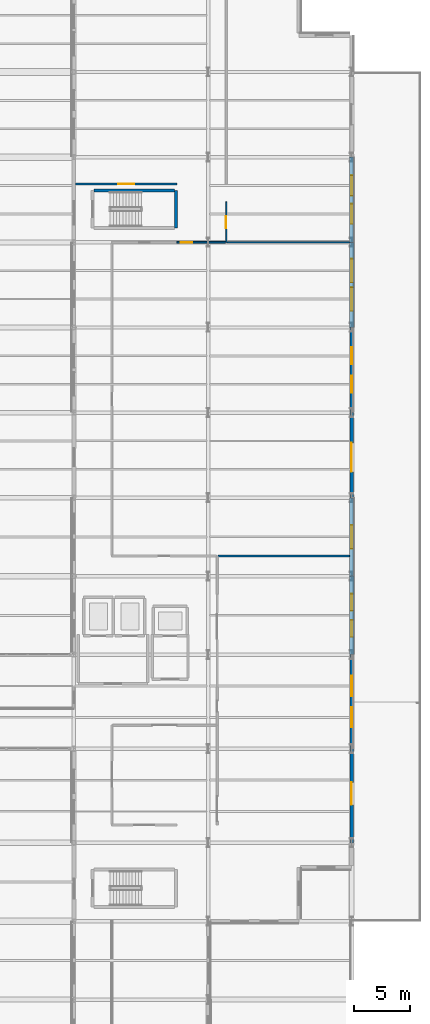
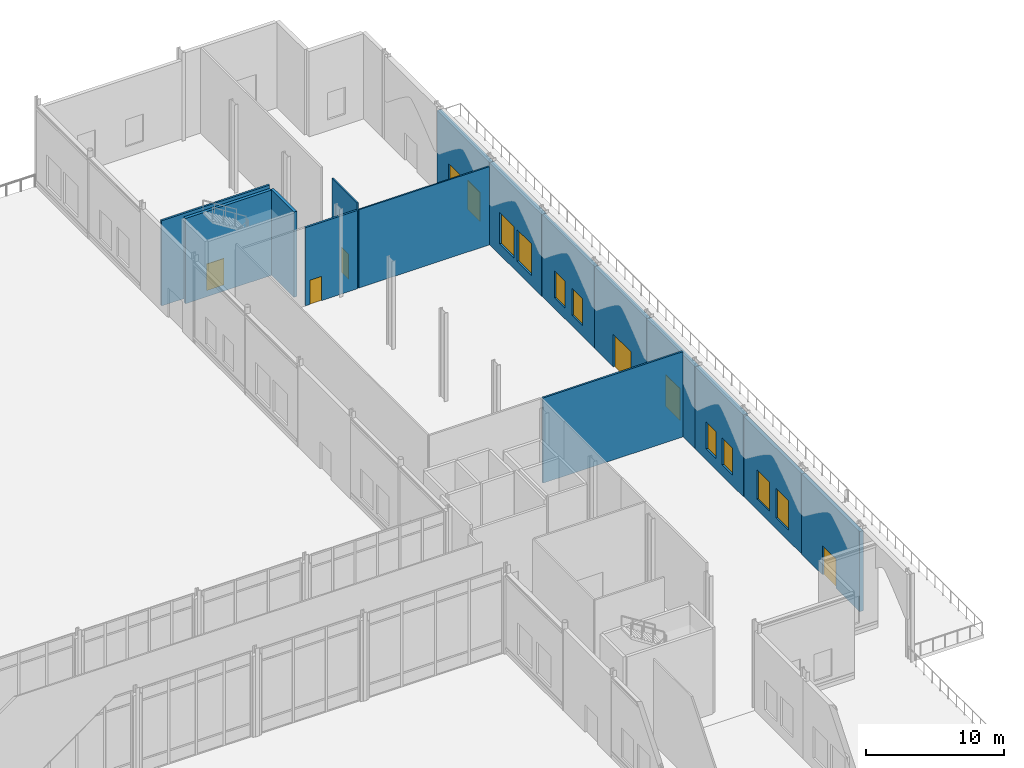
# One storey, part 147 of 176: 15 walls, 11 windows, 5 doors, 16 openings.
"""IFC4 building model written with IfcOpenShell, lengths in metres."""

from ifc_helpers import new_model, si_unit, direction, frame, frame_2d, origin, place, context, subcontext, project, spatial, rectangle, extrude, material, layer, layer_set, type_object, element, fill, save


model = new_model("IFC4")

# Units and contexts
model_context = context("Model", 3, precision=1e-05, world=origin(), true_north=direction((0.0, 1.0)))
body_context = subcontext(model_context, "Body", "Model", "MODEL_VIEW")
ifc_project = project(units=[si_unit("LENGTHUNIT", "METRE"), si_unit("AREAUNIT", "SQUARE_METRE"), si_unit("VOLUMEUNIT", "CUBIC_METRE"), si_unit("PLANEANGLEUNIT", "RADIAN"), si_unit("MASSUNIT", "GRAM", prefix="KILO")], contexts=[model_context])

# Site, building, storey
site_placement = place(None, origin())
site = spatial("IfcSite", under=ifc_project, at=site_placement, CompositionType="ELEMENT")
building_placement = place(site_placement, origin())
building = spatial("IfcBuilding", under=site, at=building_placement, Name="Vekula Escarpment Museum", CompositionType="ELEMENT")
storey_placement = place(building_placement, origin())
storey = spatial("IfcBuildingStorey", under=building, at=storey_placement, Name="L01", CompositionType="ELEMENT", Elevation=0.0)

# Wall, openings, windows
ifc_material_1 = material(Name="Inkisi arkosic sandstone masonry", Category="masonry")
ifc_layer_1 = layer(ifc_material_1, 0.300048828125)
ifc_layer_set_1 = layer_set([ifc_layer_1], Name="Inkisi arkosic sandstone masonry")
wall_type_1 = type_object("IfcWallType", Name="WL-ALM-300", PredefinedType="SOLIDWALL", material=ifc_layer_set_1)
wall_1_placement = place(storey_placement, frame((191.800048828125, 76.39990234375, 0.0), z_axis=(0.0, 0.0, 1.0), x_axis=(0.0, -1.0, 0.0)))
wall_1 = element("IfcWall", 1, at=wall_1_placement, inside=storey, type_object=wall_type_1, Name="Exterior Wall WL-EXT-L01-0127", PredefinedType="SOLIDWALL", context=body_context, shape_type="SweptSolid", body=[
    extrude(rectangle(XDim=8.39990234375, YDim=0.300048828125, at=frame_2d((4.199951171875, 0.0))), origin(), (0.0, 0.0, 1.0), 7.0849609375),
])
opening_1_placement = place(wall_1_placement, frame((1.89990234375, 0.0, 0.949951171875)))
opening_1 = element("IfcOpeningElement", 2, at=opening_1_placement, cuts=wall_1, Name="Opening WN-07", PredefinedType="OPENING", context=body_context, shape_type="SweptSolid", body=[
    extrude(rectangle(XDim=1.800048828125, YDim=2.60009765625, at=frame_2d((0.89990234375, 1.300048828125))), frame((0.0, 0.159912109375, 0.0), z_axis=(0.0, -1.0, 0.0), x_axis=(1.0, 0.0, 0.0)), (0.0, 0.0, 1.0), 0.320068359375),
])
opening_2_placement = place(wall_1_placement, frame((4.699951171875, 0.0, 0.949951171875)))
opening_2 = element("IfcOpeningElement", 3, at=opening_2_placement, cuts=wall_1, Name="Opening WN-07", PredefinedType="OPENING", context=body_context, shape_type="SweptSolid", body=[
    extrude(rectangle(XDim=1.800048828125, YDim=2.60009765625, at=frame_2d((0.89990234375, 1.300048828125))), frame((0.0, 0.159912109375, 0.0), z_axis=(0.0, -1.0, 0.0), x_axis=(1.0, 0.0, 0.0)), (0.0, 0.0, 1.0), 0.320068359375),
])
ifc_material_2 = material(Name="Double solar-control low-E glass", Category="glass")
window_type_1 = type_object("IfcWindowType", Name="WN-CUMBA-18x26", PartitioningType="DOUBLE_PANEL_VERTICAL", PredefinedType="WINDOW", material=ifc_material_2)
window_1_placement = place(opening_1_placement, origin())
window_1 = element("IfcWindow", 4, at=window_1_placement, inside=storey, type_object=window_type_1, Name="Window L01-0035", OverallHeight=2.60009765625, OverallWidth=1.800048828125, PartitioningType="SINGLE_PANEL", PredefinedType="WINDOW", context=body_context, shape_type="SweptSolid", body=[
    extrude(rectangle(XDim=1.800048828125, YDim=2.60009765625, at=frame_2d((0.89990234375, 1.300048828125))), frame((0.0, 0.030029296875, 0.0), z_axis=(0.0, -1.0, 0.0), x_axis=(1.0, 0.0, 0.0)), (0.0, 0.0, 1.0), 0.06005859375),
])
fill(opening_1, window_1)
window_2_placement = place(opening_2_placement, origin())
window_2 = element("IfcWindow", 5, at=window_2_placement, inside=storey, type_object=window_type_1, Name="Window L01-0036", OverallHeight=2.60009765625, OverallWidth=1.800048828125, PartitioningType="SINGLE_PANEL", PredefinedType="WINDOW", context=body_context, shape_type="SweptSolid", body=[
    extrude(rectangle(XDim=1.800048828125, YDim=2.60009765625, at=frame_2d((0.89990234375, 1.300048828125))), frame((0.0, 0.030029296875, 0.0), z_axis=(0.0, -1.0, 0.0), x_axis=(1.0, 0.0, 0.0)), (0.0, 0.0, 1.0), 0.06005859375),
])
fill(opening_2, window_2)

wall_2_placement = place(storey_placement, frame((191.800048828125, 105.60009765625, 0.0), z_axis=(0.0, 0.0, 1.0), x_axis=(0.0, -1.0, 0.0)))
wall_2 = element("IfcWall", 6, at=wall_2_placement, inside=storey, type_object=wall_type_1, Name="Exterior Wall WL-EXT-L01-0131", PredefinedType="SOLIDWALL", context=body_context, shape_type="SweptSolid", body=[
    extrude(rectangle(XDim=7.60009765625, YDim=0.300048828125, at=frame_2d((3.800048828125, 0.0))), origin(), (0.0, 0.0, 1.0), 7.235107421875),
])
opening_3_placement = place(wall_2_placement, frame((1.783203125, 0.0, 0.949951171875)))
opening_3 = element("IfcOpeningElement", 7, at=opening_3_placement, cuts=wall_2, Name="Opening WN-06", PredefinedType="OPENING", context=body_context, shape_type="SweptSolid", body=[
    extrude(rectangle(XDim=1.5, YDim=2.39990234375, at=frame_2d((0.75, 1.199951171875))), frame((0.0, 0.159912109375, 0.0), z_axis=(0.0, -1.0, 0.0), x_axis=(1.0, 0.0, 0.0)), (0.0, 0.0, 1.0), 0.320068359375),
])
opening_4_placement = place(wall_2_placement, frame((4.316650390625, 0.0, 0.949951171875)))
opening_4 = element("IfcOpeningElement", 8, at=opening_4_placement, cuts=wall_2, Name="Opening WN-06", PredefinedType="OPENING", context=body_context, shape_type="SweptSolid", body=[
    extrude(rectangle(XDim=1.5, YDim=2.39990234375, at=frame_2d((0.75, 1.199951171875))), frame((0.0, 0.159912109375, 0.0), z_axis=(0.0, -1.0, 0.0), x_axis=(1.0, 0.0, 0.0)), (0.0, 0.0, 1.0), 0.320068359375),
])
ifc_material_3 = material(Name="Double solar-control low-E glass", Category="glass")
window_type_2 = type_object("IfcWindowType", Name="WN-CUMBA-15x24", PartitioningType="SINGLE_PANEL", PredefinedType="WINDOW", material=ifc_material_3)
window_3_placement = place(opening_3_placement, origin())
window_3 = element("IfcWindow", 9, at=window_3_placement, inside=storey, type_object=window_type_2, Name="Window L01-0040", OverallHeight=2.39990234375, OverallWidth=1.5, PartitioningType="SINGLE_PANEL", PredefinedType="WINDOW", context=body_context, shape_type="SweptSolid", body=[
    extrude(rectangle(XDim=1.5, YDim=2.39990234375, at=frame_2d((0.75, 1.199951171875))), frame((0.0, 0.030029296875, 0.0), z_axis=(0.0, -1.0, 0.0), x_axis=(1.0, 0.0, 0.0)), (0.0, 0.0, 1.0), 0.06005859375),
])
fill(opening_3, window_3)
window_4_placement = place(opening_4_placement, origin())
window_4 = element("IfcWindow", 10, at=window_4_placement, inside=storey, type_object=window_type_2, Name="Window L01-0041", OverallHeight=2.39990234375, OverallWidth=1.5, PartitioningType="SINGLE_PANEL", PredefinedType="WINDOW", context=body_context, shape_type="SweptSolid", body=[
    extrude(rectangle(XDim=1.5, YDim=2.39990234375, at=frame_2d((0.75, 1.199951171875))), frame((0.0, 0.030029296875, 0.0), z_axis=(0.0, -1.0, 0.0), x_axis=(1.0, 0.0, 0.0)), (0.0, 0.0, 1.0), 0.06005859375),
])
fill(opening_4, window_4)

# Wall, opening, door
ifc_material_4 = material(Name="Inkisi arkosic sandstone masonry", Category="masonry")
ifc_layer_2 = layer(ifc_material_4, 0.320068359375)
ifc_layer_set_2 = layer_set([ifc_layer_2], Name="Inkisi arkosic sandstone masonry")
wall_type_2 = type_object("IfcWallType", Name="WL-ALM-320", PredefinedType="SOLIDWALL", material=ifc_layer_set_2)
wall_3_placement = place(storey_placement, frame((191.800048828125, 68.0, 0.0), z_axis=(0.0, 0.0, 1.0), x_axis=(0.0, -1.0, 0.0)))
wall_3 = element("IfcWall", 11, at=wall_3_placement, inside=storey, type_object=wall_type_2, Name="Exterior Wall WL-EXT-L01-0126", PredefinedType="SOLIDWALL", context=body_context, shape_type="SweptSolid", body=[
    extrude(rectangle(XDim=8.39990234375, YDim=0.320068359375, at=frame_2d((4.199951171875, 0.0))), origin(), (0.0, 0.0, 1.0), 7.0849609375),
])
opening_5_placement = place(wall_3_placement, frame((3.0, 0.0, 0.0)))
opening_5 = element("IfcOpeningElement", 12, at=opening_5_placement, cuts=wall_3, Name="Opening D-EX08", PredefinedType="OPENING", context=body_context, shape_type="SweptSolid", body=[
    extrude(rectangle(XDim=2.0, YDim=2.60009765625, at=frame_2d((1.0, 1.300048828125))), frame((0.0, 0.169921875, 0.0), z_axis=(0.0, -1.0, 0.0), x_axis=(1.0, 0.0, 0.0)), (0.0, 0.0, 1.0), 0.340087890625),
])
ifc_material_5 = material(Name="Bronze-anodized glazed exit door", Category="aluminium")
door_type_1 = type_object("IfcDoorType", Name="DR-EX-2000x2600", OperationType="NOTDEFINED", PredefinedType="DOOR", material=ifc_material_5)
door_1_placement = place(opening_5_placement, origin())
door_1 = element("IfcDoor", 13, at=door_1_placement, inside=storey, type_object=door_type_1, Name="East Cloister Exit Door D-EX08", OperationType="SINGLE_SWING_RIGHT", OverallHeight=2.60009765625, OverallWidth=2.0, PredefinedType="DOOR", context=body_context, shape_type="SweptSolid", body=[
    extrude(rectangle(XDim=2.0, YDim=2.60009765625, at=frame_2d((1.0, 1.300048828125))), frame((0.0, 0.02490234375, 0.0), z_axis=(0.0, -1.0, 0.0), x_axis=(1.0, 0.0, 0.0)), (0.0, 0.0, 1.0), 0.050048828125),
])
fill(opening_5, door_1)

wall_4_placement = place(storey_placement, frame((191.800048828125, 98.0, 0.0), z_axis=(0.0, 0.0, 1.0), x_axis=(0.0, -1.0, 0.0)))
wall_4 = element("IfcWall", 14, at=wall_4_placement, inside=storey, type_object=wall_type_2, Name="Exterior Wall WL-EXT-L01-0130", PredefinedType="SOLIDWALL", context=body_context, shape_type="SweptSolid", body=[
    extrude(rectangle(XDim=7.60009765625, YDim=0.320068359375, at=frame_2d((3.800048828125, 0.0))), origin(), (0.0, 0.0, 1.0), 7.235107421875),
])
opening_6_placement = place(wall_4_placement, frame((2.699951171875, 0.0, 0.0)))
opening_6 = element("IfcOpeningElement", 15, at=opening_6_placement, cuts=wall_4, Name="Opening D-EX16", PredefinedType="OPENING", context=body_context, shape_type="SweptSolid", body=[
    extrude(rectangle(XDim=2.60009765625, YDim=2.89990234375, at=frame_2d((1.300048828125, 1.449951171875))), frame((0.0, 0.169921875, 0.0), z_axis=(0.0, -1.0, 0.0), x_axis=(1.0, 0.0, 0.0)), (0.0, 0.0, 1.0), 0.340087890625),
])
ifc_material_6 = material(Name="Bronze-anodized glazed exit door", Category="aluminium")
door_type_2 = type_object("IfcDoorType", Name="DR-EX-2600x2900", OperationType="NOTDEFINED", PredefinedType="DOOR", material=ifc_material_6)
door_2_placement = place(opening_6_placement, origin())
door_2 = element("IfcDoor", 16, at=door_2_placement, inside=storey, type_object=door_type_2, Name="East Gallery North Exit D-EX16", OperationType="SINGLE_SWING_RIGHT", OverallHeight=2.89990234375, OverallWidth=2.60009765625, PredefinedType="DOOR", context=body_context, shape_type="SweptSolid", body=[
    extrude(rectangle(XDim=2.60009765625, YDim=2.89990234375, at=frame_2d((1.300048828125, 1.449951171875))), frame((0.0, 0.02490234375, 0.0), z_axis=(0.0, -1.0, 0.0), x_axis=(1.0, 0.0, 0.0)), (0.0, 0.0, 1.0), 0.050048828125),
])
fill(opening_6, door_2)

# Wall, opening, window
ifc_material_7 = material(Name="Inkisi arkosic sandstone masonry", Category="masonry")
ifc_layer_3 = layer(ifc_material_7, 0.35009765625)
ifc_layer_set_3 = layer_set([ifc_layer_3], Name="Inkisi arkosic sandstone masonry")
wall_type_3 = type_object("IfcWallType", Name="WL-ALM-350", PredefinedType="SOLIDWALL", material=ifc_layer_set_3)
wall_5_placement = place(storey_placement, frame((191.800048828125, 90.39990234375, 0.0), z_axis=(0.0, 0.0, 1.0), x_axis=(0.0, -1.0, 0.0)))
wall_5 = element("IfcWall", 17, at=wall_5_placement, inside=storey, type_object=wall_type_3, Name="Exterior Wall WL-EXT-L01-0129", PredefinedType="SOLIDWALL", context=body_context, shape_type="SweptSolid", body=[
    extrude(rectangle(XDim=7.0, YDim=0.35009765625, at=frame_2d((3.5, 0.0))), origin(), (0.0, 0.0, 1.0), 7.235107421875),
])
opening_7_placement = place(wall_5_placement, frame((2.449951171875, 0.0, 0.949951171875)))
opening_7 = element("IfcOpeningElement", 18, at=opening_7_placement, cuts=wall_5, Name="Opening WN-08", PredefinedType="OPENING", context=body_context, shape_type="SweptSolid", body=[
    extrude(rectangle(XDim=2.10009765625, YDim=2.800048828125, at=frame_2d((1.050048828125, 1.39990234375))), frame((0.0, 0.18505859375, 0.0), z_axis=(0.0, -1.0, 0.0), x_axis=(1.0, 0.0, 0.0)), (0.0, 0.0, 1.0), 0.3701171875),
])
ifc_material_8 = material(Name="Double solar-control low-E glass", Category="glass")
window_type_3 = type_object("IfcWindowType", Name="WN-CUMBA-21x28", PartitioningType="DOUBLE_PANEL_VERTICAL", PredefinedType="WINDOW", material=ifc_material_8)
window_5_placement = place(opening_7_placement, origin())
window_5 = element("IfcWindow", 19, at=window_5_placement, inside=storey, type_object=window_type_3, Name="Window L01-0039", OverallHeight=2.800048828125, OverallWidth=2.10009765625, PartitioningType="SINGLE_PANEL", PredefinedType="WINDOW", context=body_context, shape_type="SweptSolid", body=[
    extrude(rectangle(XDim=2.10009765625, YDim=2.800048828125, at=frame_2d((1.050048828125, 1.39990234375))), frame((0.0, 0.030029296875, 0.0), z_axis=(0.0, -1.0, 0.0), x_axis=(1.0, 0.0, 0.0)), (0.0, 0.0, 1.0), 0.06005859375),
])
fill(opening_7, window_5)

# Wall, openings, windows
wall_6_placement = place(storey_placement, frame((191.800048828125, 120.800048828125, 0.0), z_axis=(0.0, 0.0, 1.0), x_axis=(0.0, -1.0, 0.0)))
wall_6 = element("IfcWall", 20, at=wall_6_placement, inside=storey, type_object=wall_type_3, Name="Exterior Wall WL-EXT-L01-0133", PredefinedType="SOLIDWALL", context=body_context, shape_type="SweptSolid", body=[
    extrude(rectangle(XDim=7.60009765625, YDim=0.35009765625, at=frame_2d((3.800048828125, 0.0))), origin(), (0.0, 0.0, 1.0), 7.235107421875),
])
opening_8_placement = place(wall_6_placement, frame((1.63330078125, 0.0, 0.949951171875)))
opening_8 = element("IfcOpeningElement", 21, at=opening_8_placement, cuts=wall_6, Name="Opening WN-07", PredefinedType="OPENING", context=body_context, shape_type="SweptSolid", body=[
    extrude(rectangle(XDim=1.800048828125, YDim=2.60009765625, at=frame_2d((0.89990234375, 1.300048828125))), frame((0.0, 0.18505859375, 0.0), z_axis=(0.0, -1.0, 0.0), x_axis=(1.0, 0.0, 0.0)), (0.0, 0.0, 1.0), 0.3701171875),
])
opening_9_placement = place(wall_6_placement, frame((4.166748046875, 0.0, 0.949951171875)))
opening_9 = element("IfcOpeningElement", 22, at=opening_9_placement, cuts=wall_6, Name="Opening WN-07", PredefinedType="OPENING", context=body_context, shape_type="SweptSolid", body=[
    extrude(rectangle(XDim=1.800048828125, YDim=2.60009765625, at=frame_2d((0.89990234375, 1.300048828125))), frame((0.0, 0.18505859375, 0.0), z_axis=(0.0, -1.0, 0.0), x_axis=(1.0, 0.0, 0.0)), (0.0, 0.0, 1.0), 0.3701171875),
])
window_6_placement = place(opening_8_placement, origin())
window_6 = element("IfcWindow", 23, at=window_6_placement, inside=storey, type_object=window_type_1, Name="Window L01-0044", OverallHeight=2.60009765625, OverallWidth=1.800048828125, PartitioningType="SINGLE_PANEL", PredefinedType="WINDOW", context=body_context, shape_type="SweptSolid", body=[
    extrude(rectangle(XDim=1.800048828125, YDim=2.60009765625, at=frame_2d((0.89990234375, 1.300048828125))), frame((0.0, 0.030029296875, 0.0), z_axis=(0.0, -1.0, 0.0), x_axis=(1.0, 0.0, 0.0)), (0.0, 0.0, 1.0), 0.06005859375),
])
fill(opening_8, window_6)
window_7_placement = place(opening_9_placement, origin())
window_7 = element("IfcWindow", 24, at=window_7_placement, inside=storey, type_object=window_type_1, Name="Window L01-0045", OverallHeight=2.60009765625, OverallWidth=1.800048828125, PartitioningType="SINGLE_PANEL", PredefinedType="WINDOW", context=body_context, shape_type="SweptSolid", body=[
    extrude(rectangle(XDim=1.800048828125, YDim=2.60009765625, at=frame_2d((0.89990234375, 1.300048828125))), frame((0.0, 0.030029296875, 0.0), z_axis=(0.0, -1.0, 0.0), x_axis=(1.0, 0.0, 0.0)), (0.0, 0.0, 1.0), 0.06005859375),
])
fill(opening_9, window_7)

ifc_material_9 = material(Name="Inkisi arkosic sandstone masonry", Category="masonry")
ifc_layer_4 = layer(ifc_material_9, 0.3798828125)
ifc_layer_set_4 = layer_set([ifc_layer_4], Name="Inkisi arkosic sandstone masonry")
wall_type_4 = type_object("IfcWallType", Name="WL-ALM-380", PredefinedType="SOLIDWALL", material=ifc_layer_set_4)
wall_7_placement = place(storey_placement, frame((191.800048828125, 83.39990234375, 0.0), z_axis=(0.0, 0.0, 1.0), x_axis=(0.0, -1.0, 0.0)))
wall_7 = element("IfcWall", 25, at=wall_7_placement, inside=storey, type_object=wall_type_4, Name="Exterior Wall WL-EXT-L01-0128", PredefinedType="SOLIDWALL", context=body_context, shape_type="SweptSolid", body=[
    extrude(rectangle(XDim=7.0, YDim=0.3798828125, at=frame_2d((3.5, 0.0))), origin(), (0.0, 0.0, 1.0), 7.235107421875),
])
opening_10_placement = place(wall_7_placement, frame((1.583251953125, 0.0, 0.949951171875)))
opening_10 = element("IfcOpeningElement", 26, at=opening_10_placement, cuts=wall_7, Name="Opening WN-06", PredefinedType="OPENING", context=body_context, shape_type="SweptSolid", body=[
    extrude(rectangle(XDim=1.5, YDim=2.39990234375, at=frame_2d((0.75, 1.199951171875))), frame((0.0, 0.199951171875, 0.0), z_axis=(0.0, -1.0, 0.0), x_axis=(1.0, 0.0, 0.0)), (0.0, 0.0, 1.0), 0.39990234375),
])
opening_11_placement = place(wall_7_placement, frame((3.916748046875, 0.0, 0.949951171875)))
opening_11 = element("IfcOpeningElement", 27, at=opening_11_placement, cuts=wall_7, Name="Opening WN-06", PredefinedType="OPENING", context=body_context, shape_type="SweptSolid", body=[
    extrude(rectangle(XDim=1.5, YDim=2.39990234375, at=frame_2d((0.75, 1.199951171875))), frame((0.0, 0.199951171875, 0.0), z_axis=(0.0, -1.0, 0.0), x_axis=(1.0, 0.0, 0.0)), (0.0, 0.0, 1.0), 0.39990234375),
])
window_8_placement = place(opening_10_placement, origin())
window_8 = element("IfcWindow", 28, at=window_8_placement, inside=storey, type_object=window_type_2, Name="Window L01-0037", OverallHeight=2.39990234375, OverallWidth=1.5, PartitioningType="SINGLE_PANEL", PredefinedType="WINDOW", context=body_context, shape_type="SweptSolid", body=[
    extrude(rectangle(XDim=1.5, YDim=2.39990234375, at=frame_2d((0.75, 1.199951171875))), frame((0.0, 0.030029296875, 0.0), z_axis=(0.0, -1.0, 0.0), x_axis=(1.0, 0.0, 0.0)), (0.0, 0.0, 1.0), 0.06005859375),
])
fill(opening_10, window_8)
window_9_placement = place(opening_11_placement, origin())
window_9 = element("IfcWindow", 29, at=window_9_placement, inside=storey, type_object=window_type_2, Name="Window L01-0038", OverallHeight=2.39990234375, OverallWidth=1.5, PartitioningType="SINGLE_PANEL", PredefinedType="WINDOW", context=body_context, shape_type="SweptSolid", body=[
    extrude(rectangle(XDim=1.5, YDim=2.39990234375, at=frame_2d((0.75, 1.199951171875))), frame((0.0, 0.030029296875, 0.0), z_axis=(0.0, -1.0, 0.0), x_axis=(1.0, 0.0, 0.0)), (0.0, 0.0, 1.0), 0.06005859375),
])
fill(opening_11, window_9)

wall_8_placement = place(storey_placement, frame((191.800048828125, 113.199951171875, 0.0), z_axis=(0.0, 0.0, 1.0), x_axis=(0.0, -1.0, 0.0)))
wall_8 = element("IfcWall", 30, at=wall_8_placement, inside=storey, type_object=wall_type_4, Name="Exterior Wall WL-EXT-L01-0132", PredefinedType="SOLIDWALL", context=body_context, shape_type="SweptSolid", body=[
    extrude(rectangle(XDim=7.599853515625, YDim=0.3798828125, at=frame_2d((3.7998046875, 0.0))), origin(), (0.0, 0.0, 1.0), 7.235107421875),
])
opening_12_placement = place(wall_8_placement, frame((1.4833984375, 0.0, 0.949951171875)))
opening_12 = element("IfcOpeningElement", 31, at=opening_12_placement, cuts=wall_8, Name="Opening WN-08", PredefinedType="OPENING", context=body_context, shape_type="SweptSolid", body=[
    extrude(rectangle(XDim=2.10009765625, YDim=2.800048828125, at=frame_2d((1.050048828125, 1.39990234375))), frame((0.0, 0.199951171875, 0.0), z_axis=(0.0, -1.0, 0.0), x_axis=(1.0, 0.0, 0.0)), (0.0, 0.0, 1.0), 0.39990234375),
])
opening_13_placement = place(wall_8_placement, frame((4.0166015625, 0.0, 0.949951171875)))
opening_13 = element("IfcOpeningElement", 32, at=opening_13_placement, cuts=wall_8, Name="Opening WN-08", PredefinedType="OPENING", context=body_context, shape_type="SweptSolid", body=[
    extrude(rectangle(XDim=2.10009765625, YDim=2.800048828125, at=frame_2d((1.050048828125, 1.39990234375))), frame((0.0, 0.199951171875, 0.0), z_axis=(0.0, -1.0, 0.0), x_axis=(1.0, 0.0, 0.0)), (0.0, 0.0, 1.0), 0.39990234375),
])
window_10_placement = place(opening_12_placement, origin())
window_10 = element("IfcWindow", 33, at=window_10_placement, inside=storey, type_object=window_type_3, Name="Window L01-0042", OverallHeight=2.800048828125, OverallWidth=2.10009765625, PartitioningType="SINGLE_PANEL", PredefinedType="WINDOW", context=body_context, shape_type="SweptSolid", body=[
    extrude(rectangle(XDim=2.10009765625, YDim=2.800048828125, at=frame_2d((1.050048828125, 1.39990234375))), frame((0.0, 0.030029296875, 0.0), z_axis=(0.0, -1.0, 0.0), x_axis=(1.0, 0.0, 0.0)), (0.0, 0.0, 1.0), 0.06005859375),
])
fill(opening_12, window_10)
window_11_placement = place(opening_13_placement, origin())
window_11 = element("IfcWindow", 34, at=window_11_placement, inside=storey, type_object=window_type_3, Name="Window L01-0043", OverallHeight=2.800048828125, OverallWidth=2.10009765625, PartitioningType="SINGLE_PANEL", PredefinedType="WINDOW", context=body_context, shape_type="SweptSolid", body=[
    extrude(rectangle(XDim=2.10009765625, YDim=2.800048828125, at=frame_2d((1.050048828125, 1.39990234375))), frame((0.0, 0.030029296875, 0.0), z_axis=(0.0, -1.0, 0.0), x_axis=(1.0, 0.0, 0.0)), (0.0, 0.0, 1.0), 0.06005859375),
])
fill(opening_13, window_11)

# Walls
ifc_material_10 = material(Name="Concrete C35/45", Category="concrete")
ifc_layer_5 = layer(ifc_material_10, 0.25)
ifc_layer_set_5 = layer_set([ifc_layer_5], Name="Concrete C35/45")
wall_type_5 = type_object("IfcWallType", Name="WL-CORE-250", PredefinedType="SHEAR", material=ifc_layer_set_5)
wall_9_placement = place(storey_placement, frame((176.125, 114.47509765625, 0.0), z_axis=(0.0, 0.0, 1.0), x_axis=(0.0, 1.0, 0.0)))
element("IfcWall", 35, at=wall_9_placement, inside=storey, type_object=wall_type_5, Name="Stair Core Wall ST-05 L01 E", PredefinedType="SHEAR", context=body_context, shape_type="SweptSolid", body=[
    extrude(rectangle(XDim=3.349853515625, YDim=0.25, at=frame_2d((1.6748046875, 0.0))), origin(), (0.0, 0.0, 1.0), 7.5400390625),
])
wall_10_placement = place(storey_placement, frame((168.803955078125, 117.824951171875, 0.0), z_axis=(0.0, 0.0, 1.0), x_axis=(1.0, 0.0, 0.0)))
element("IfcWall", 36, at=wall_10_placement, inside=storey, type_object=wall_type_5, Name="Stair Core Wall ST-05 L01 N", PredefinedType="SHEAR", context=body_context, shape_type="SweptSolid", body=[
    extrude(rectangle(XDim=7.192138671875, YDim=0.25, at=frame_2d((3.59619140625, 0.0))), origin(), (0.0, 0.0, 1.0), 7.5400390625),
])

# Wall, opening, door
ifc_material_11 = material(Name="Lightweight studio partition", Category="gypsum")
ifc_layer_6 = layer(ifc_material_11, 0.1201171875)
ifc_layer_set_6 = layer_set([ifc_layer_6], Name="Lightweight studio partition")
wall_type_6 = type_object("IfcWallType", Name="WL-PART-120", PredefinedType="PARTITIONING", material=ifc_layer_set_6)
wall_11_placement = place(storey_placement, frame((180.60009765625, 113.199951171875, 0.0), z_axis=(0.0, 0.0, 1.0), x_axis=(0.0, 1.0, 0.0)))
wall_11 = element("IfcWall", 37, at=wall_11_placement, inside=storey, type_object=wall_type_6, Name="Interior Partition WL-INT-L01-0012", PredefinedType="PARTITIONING", context=body_context, shape_type="SweptSolid", body=[
    extrude(rectangle(XDim=3.60009765625, YDim=0.1201171875, at=frame_2d((1.800048828125, 0.0))), origin(), (0.0, 0.0, 1.0), 7.5400390625),
])
opening_14_placement = place(wall_11_placement, frame((1.27490234375, 0.0, 0.0)))
opening_14 = element("IfcOpeningElement", 38, at=opening_14_placement, cuts=wall_11, Name="Opening DR-CR10", PredefinedType="OPENING", context=body_context, shape_type="SweptSolid", body=[
    extrude(rectangle(XDim=1.050048828125, YDim=2.199951171875, at=frame_2d((0.52490234375, 1.10009765625))), frame((0.0, 0.070068359375, 0.0), z_axis=(0.0, -1.0, 0.0), x_axis=(1.0, 0.0, 0.0)), (0.0, 0.0, 1.0), 0.14013671875),
])
ifc_material_12 = material(Name="Solid hardwood curatorial door", Category="wood")
door_type_3 = type_object("IfcDoorType", Name="DR-CUR-1050x2200", OperationType="NOTDEFINED", PredefinedType="DOOR", material=ifc_material_12)
door_3_placement = place(opening_14_placement, origin())
door_3 = element("IfcDoor", 39, at=door_3_placement, inside=storey, type_object=door_type_3, Name="Interior Door L01-012", OperationType="SINGLE_SWING_LEFT", OverallHeight=2.199951171875, OverallWidth=1.050048828125, PredefinedType="DOOR", context=body_context, shape_type="SweptSolid", body=[
    extrude(rectangle(XDim=1.050048828125, YDim=2.199951171875, at=frame_2d((0.52490234375, 1.10009765625))), frame((0.0, 0.02490234375, 0.0), z_axis=(0.0, -1.0, 0.0), x_axis=(1.0, 0.0, 0.0)), (0.0, 0.0, 1.0), 0.050048828125),
])
fill(opening_14, door_3)

# Walls
wall_12_placement = place(storey_placement, frame((180.6640625, 113.199951171875, 0.0), z_axis=(0.0, 0.0, 1.0), x_axis=(1.0, 0.0, 0.0)))
element("IfcWall", 40, at=wall_12_placement, inside=storey, type_object=wall_type_6, Name="Interior Partition WL-INT-L01-0015", PredefinedType="PARTITIONING", context=body_context, shape_type="SweptSolid", body=[
    extrude(rectangle(XDim=10.94189453125, YDim=0.1201171875, at=frame_2d((5.470947265625, 0.0))), origin(), (0.0, 0.0, 1.0), 6.925048828125),
])
ifc_material_13 = material(Name="Gypsum board dry-lined partition", Category="gypsum")
ifc_layer_7 = layer(ifc_material_13, 0.14990234375)
ifc_layer_set_7 = layer_set([ifc_layer_7], Name="Gypsum board dry-lined partition")
wall_type_7 = type_object("IfcWallType", Name="WL-PART-150", PredefinedType="PARTITIONING", material=ifc_layer_set_7)
wall_13_placement = place(storey_placement, frame((179.884033203125, 85.199951171875, 0.0), z_axis=(0.0, 0.0, 1.0), x_axis=(1.0, 0.0, 0.0)))
element("IfcWall", 41, at=wall_13_placement, inside=storey, type_object=wall_type_7, Name="Interior Partition WL-INT-L01-0074", PredefinedType="PARTITIONING", context=body_context, shape_type="SweptSolid", body=[
    extrude(rectangle(XDim=11.737060546875, YDim=0.14990234375, at=frame_2d((5.86865234375, 0.0))), origin(), (0.0, 0.0, 1.0), 7.5400390625),
])

# Wall, opening, door
ifc_material_14 = material(Name="Gypsum board gallery partition", Category="gypsum")
ifc_layer_8 = layer(ifc_material_14, 0.159912109375)
ifc_layer_set_8 = layer_set([ifc_layer_8], Name="Gypsum board gallery partition")
wall_type_8 = type_object("IfcWallType", Name="WL-PART-160", PredefinedType="PARTITIONING", material=ifc_layer_set_8)
wall_14_placement = place(storey_placement, frame((167.1640625, 118.39990234375, 0.0), z_axis=(0.0, 0.0, 1.0), x_axis=(1.0, 0.0, 0.0)))
wall_14 = element("IfcWall", 42, at=wall_14_placement, inside=storey, type_object=wall_type_8, Name="Interior Partition WL-INT-L01-0010", PredefinedType="PARTITIONING", context=body_context, shape_type="SweptSolid", body=[
    extrude(rectangle(XDim=9.035888671875, YDim=0.159912109375, at=frame_2d((4.51806640625, 0.0))), origin(), (0.0, 0.0, 1.0), 7.5400390625),
])
opening_15_placement = place(wall_14_placement, frame((3.79296875, 0.0, 0.0)))
opening_15 = element("IfcOpeningElement", 43, at=opening_15_placement, cuts=wall_14, Name="Opening DR-LB14", PredefinedType="OPENING", context=body_context, shape_type="SweptSolid", body=[
    extrude(rectangle(XDim=1.449951171875, YDim=2.35009765625, at=frame_2d((0.72509765625, 1.175048828125))), frame((0.0, 0.08984375, 0.0), z_axis=(0.0, -1.0, 0.0), x_axis=(1.0, 0.0, 0.0)), (0.0, 0.0, 1.0), 0.179931640625),
])
ifc_material_15 = material(Name="Glazed timber library door", Category="wood")
door_type_4 = type_object("IfcDoorType", Name="DR-LIB-1450x2350", OperationType="NOTDEFINED", PredefinedType="DOOR", material=ifc_material_15)
door_4_placement = place(opening_15_placement, origin())
door_4 = element("IfcDoor", 44, at=door_4_placement, inside=storey, type_object=door_type_4, Name="Interior Door L01-010", OperationType="SINGLE_SWING_LEFT", OverallHeight=2.35009765625, OverallWidth=1.449951171875, PredefinedType="DOOR", context=body_context, shape_type="SweptSolid", body=[
    extrude(rectangle(XDim=1.449951171875, YDim=2.35009765625, at=frame_2d((0.72509765625, 1.175048828125))), frame((0.0, 0.02490234375, 0.0), z_axis=(0.0, -1.0, 0.0), x_axis=(1.0, 0.0, 0.0)), (0.0, 0.0, 1.0), 0.050048828125),
])
fill(opening_15, door_4)

wall_15_placement = place(storey_placement, frame((176.199951171875, 113.199951171875, 0.0), z_axis=(0.0, 0.0, 1.0), x_axis=(1.0, 0.0, 0.0)))
wall_15 = element("IfcWall", 45, at=wall_15_placement, inside=storey, type_object=wall_type_8, Name="Interior Partition WL-INT-L01-0013", PredefinedType="PARTITIONING", context=body_context, shape_type="SweptSolid", body=[
    extrude(rectangle(XDim=4.3359375, YDim=0.159912109375, at=frame_2d((2.16796875, 0.0))), origin(), (0.0, 0.0, 1.0), 6.925048828125),
])
opening_16_placement = place(wall_15_placement, frame((0.35009765625, 0.0, 0.0)))
opening_16 = element("IfcOpeningElement", 46, at=opening_16_placement, cuts=wall_15, Name="Opening DR-OF10", PredefinedType="OPENING", context=body_context, shape_type="SweptSolid", body=[
    extrude(rectangle(XDim=1.0, YDim=2.14990234375, at=frame_2d((0.5, 1.074951171875))), frame((0.0, 0.08984375, 0.0), z_axis=(0.0, -1.0, 0.0), x_axis=(1.0, 0.0, 0.0)), (0.0, 0.0, 1.0), 0.179931640625),
])
ifc_material_16 = material(Name="Solid core timber study door", Category="wood")
door_type_5 = type_object("IfcDoorType", Name="DR-OFF-1000x2150", OperationType="NOTDEFINED", PredefinedType="DOOR", material=ifc_material_16)
door_5_placement = place(opening_16_placement, origin())
door_5 = element("IfcDoor", 47, at=door_5_placement, inside=storey, type_object=door_type_5, Name="Interior Door L01-013", OperationType="SINGLE_SWING_RIGHT", OverallHeight=2.14990234375, OverallWidth=1.0, PredefinedType="DOOR", context=body_context, shape_type="SweptSolid", body=[
    extrude(rectangle(XDim=1.0, YDim=2.14990234375, at=frame_2d((0.5, 1.074951171875))), frame((0.0, 0.02490234375, 0.0), z_axis=(0.0, -1.0, 0.0), x_axis=(1.0, 0.0, 0.0)), (0.0, 0.0, 1.0), 0.050048828125),
])
fill(opening_16, door_5)

save(model, "model.ifc")
